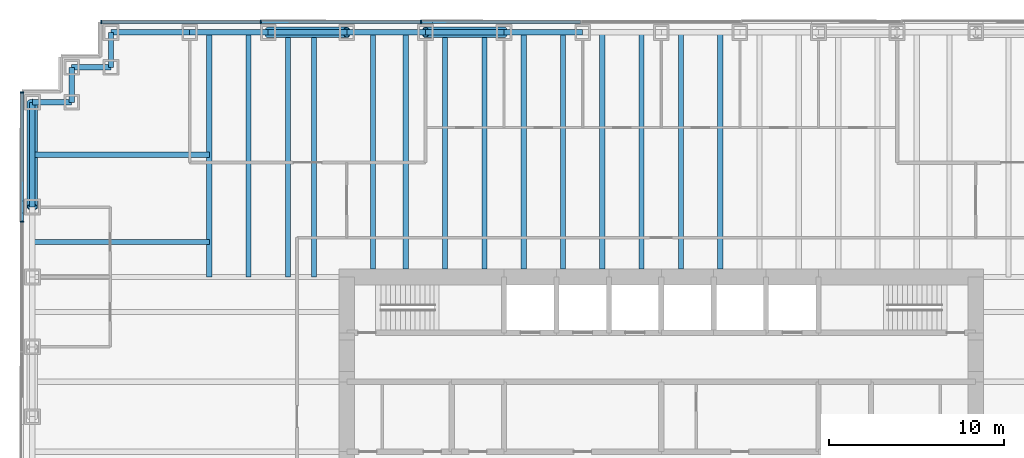
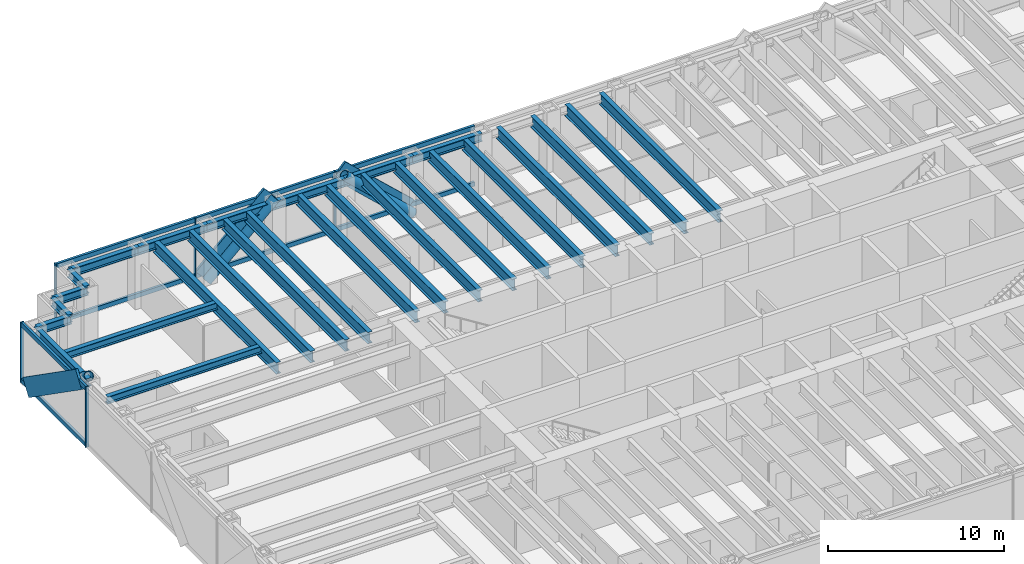
# One storey, part 6 of 15: 27 beams, 19 members, 2 elements without a shape of their own.
"""IFC4 building model written with IfcOpenShell, lengths in metres."""

from ifc_helpers import new_model, si_unit, direction, frame, origin, origin_2d, place, context, subcontext, project, spatial, rectangle, hollow_circle, i_section, extrude, material, material_profile, profile_set, type_object, element, aggregate, save


model = new_model("IFC4")

# Units and contexts
model_context = context("Model", 3, precision=1e-05, world=origin(), true_north=direction((0.0, 1.0)))
body_context = subcontext(model_context, "Body", "Model", "MODEL_VIEW")
ifc_project = project(units=[si_unit("LENGTHUNIT", "METRE"), si_unit("AREAUNIT", "SQUARE_METRE"), si_unit("VOLUMEUNIT", "CUBIC_METRE"), si_unit("PLANEANGLEUNIT", "RADIAN"), si_unit("MASSUNIT", "GRAM", prefix="KILO")], contexts=[model_context])

# Site, building, storey
site_placement = place(None, origin())
site = spatial("IfcSite", under=ifc_project, at=site_placement, CompositionType="ELEMENT")
building_placement = place(site_placement, origin())
building = spatial("IfcBuilding", under=site, at=building_placement, Name="Rheinbord Bourse Tower", CompositionType="ELEMENT")
storey_placement = place(building_placement, frame((0.0, 0.0, 104.699951171875)))
storey = spatial("IfcBuildingStorey", under=building, at=storey_placement, Name="L22", CompositionType="ELEMENT", Elevation=104.699951171875)

# Curtain wall, members
ifc_material_1 = material(Name="Dark glass and black aluminium", Category="aluminium")
curtain_wall_type = type_object("IfcCurtainWallType", Name="CW2 DARK GLASS CURTAIN WALL", PredefinedType="USERDEFINED", material=ifc_material_1)
curtain_wall_1_placement = place(storey_placement, origin())
curtain_wall_1 = element("IfcCurtainWall", 1, at=curtain_wall_1_placement, inside=storey, type_object=curtain_wall_type, Name="Curtain wall CW2 N L22", ObjectType="UNITISED CURTAIN WALL", PredefinedType="USERDEFINED")
ifc_material_2 = material(Name="Black anodised aluminium", Category="aluminium")
ifc_material_profile_1 = material_profile(ifc_material_2, rectangle(XDim=0.159912109375, YDim=1.2099609375, at=origin_2d()), Name="CW2 DIAGONAL MULLION 1210x160")
ifc_profile_set_1 = profile_set([ifc_material_profile_1], Name="Black anodised aluminium")
member_type_1 = type_object("IfcMemberType", Name="CW2 BLACK DIAGONAL MULLION", PredefinedType="USERDEFINED", material=ifc_profile_set_1)
member_1_placement = place(storey_placement, frame((27.0, 46.60009765625, 0.0), z_axis=(-0.73105922506, 0.0, 0.682314010889), x_axis=(0.0, -1.0, 0.0)))
member_1 = element("IfcMember", 2, at=member_1_placement, type_object=member_type_1, Name="CW2 diagonal mullion a", ObjectType="DIAGONAL MULLION", PredefinedType="USERDEFINED", context=body_context, shape_type="SweptSolid", body=[
    extrude(rectangle(XDim=0.159912109375, YDim=1.2099609375, at=origin_2d()), origin(), (0.0, 0.0, 1.0), 6.155517578125),
])
member_2_placement = place(storey_placement, frame((13.5, 46.60009765625, 0.0), z_axis=(0.73105922506, 0.0, 0.682314010889), x_axis=(0.0, 1.0, 0.0)))
member_2 = element("IfcMember", 3, at=member_2_placement, type_object=member_type_1, Name="CW2 diagonal mullion c", ObjectType="DIAGONAL MULLION", PredefinedType="USERDEFINED", context=body_context, shape_type="SweptSolid", body=[
    extrude(rectangle(XDim=0.159912109375, YDim=1.2099609375, at=origin_2d()), origin(), (0.0, 0.0, 1.0), 6.155517578125),
])

# Curtain wall, member
curtain_wall_2_placement = place(storey_placement, origin())
curtain_wall_2 = element("IfcCurtainWall", 4, at=curtain_wall_2_placement, inside=storey, type_object=curtain_wall_type, Name="Curtain wall CW2 W L22", ObjectType="UNITISED CURTAIN WALL", PredefinedType="USERDEFINED")
member_3_placement = place(storey_placement, frame((-0.60009765625, 42.0, 0.0), z_axis=(0.0, -0.819235052632, 0.57345786989), x_axis=(1.0, 0.0, 0.0)))
member_3 = element("IfcMember", 5, at=member_3_placement, type_object=member_type_1, Name="CW2 diagonal mullion c", ObjectType="DIAGONAL MULLION", PredefinedType="USERDEFINED", context=body_context, shape_type="SweptSolid", body=[
    extrude(rectangle(XDim=0.159912109375, YDim=1.2099609375, at=origin_2d()), origin(), (0.0, 0.0, 1.0), 7.323974609375),
])

# Member
ifc_material_3 = material(Name="Black anodised aluminium", Category="aluminium")
ifc_material_profile_2 = material_profile(ifc_material_3, rectangle(XDim=0.219970703125, YDim=0.070068359375, at=origin_2d()), Name="CW2 MULLION 70x220")
ifc_profile_set_2 = profile_set([ifc_material_profile_2], Name="Black anodised aluminium")
member_type_2 = type_object("IfcMemberType", Name="CW2 BLACK MULLION", PredefinedType="MULLION", material=ifc_profile_set_2)
member_4_placement = place(storey_placement, frame((22.242919921875, 46.60009765625, 0.0), z_axis=(0.0, 0.0, 1.0), x_axis=(0.0, -1.0, 0.0)))
member_4 = element("IfcMember", 6, at=member_4_placement, type_object=member_type_2, Name="CW2 mullion 6", PredefinedType="MULLION", context=body_context, shape_type="SweptSolid", body=[
    extrude(rectangle(XDim=0.219970703125, YDim=0.070068359375, at=origin_2d()), origin(), (0.0, 0.0, 1.0), 4.199951171875),
])

member_5_placement = place(storey_placement, frame((13.071533203125, 46.60009765625, 0.0), z_axis=(0.0, 0.0, 1.0), x_axis=(0.0, -1.0, 0.0)))
member_5 = element("IfcMember", 7, at=member_5_placement, type_object=member_type_2, Name="CW2 mullion 7", PredefinedType="MULLION", context=body_context, shape_type="SweptSolid", body=[
    extrude(rectangle(XDim=0.219970703125, YDim=0.070068359375, at=origin_2d()), origin(), (0.0, 0.0, 1.0), 4.199951171875),
])

member_6_placement = place(storey_placement, frame((3.93505859375, 46.60009765625, 0.0), z_axis=(0.0, 0.0, 1.0), x_axis=(0.0, -1.0, 0.0)))
member_6 = element("IfcMember", 8, at=member_6_placement, type_object=member_type_2, Name="CW2 mullion 8", PredefinedType="MULLION", context=body_context, shape_type="SweptSolid", body=[
    extrude(rectangle(XDim=0.219970703125, YDim=0.070068359375, at=origin_2d()), origin(), (0.0, 0.0, 1.0), 4.199951171875),
])

member_7_placement = place(storey_placement, frame((-0.60009765625, 42.56494140625, 0.0), z_axis=(0.0, 0.0, 1.0), x_axis=(1.0, 0.0, 0.0)))
member_7 = element("IfcMember", 9, at=member_7_placement, type_object=member_type_2, Name="CW2 mullion 1", PredefinedType="MULLION", context=body_context, shape_type="SweptSolid", body=[
    extrude(rectangle(XDim=0.219970703125, YDim=0.070068359375, at=origin_2d()), origin(), (0.0, 0.0, 1.0), 4.199951171875),
])

member_8_placement = place(storey_placement, frame((-0.60009765625, 35.159912109375, 0.0), z_axis=(0.0, 0.0, 1.0), x_axis=(1.0, 0.0, 0.0)))
member_8 = element("IfcMember", 10, at=member_8_placement, type_object=member_type_2, Name="CW2 mullion 2", PredefinedType="MULLION", context=body_context, shape_type="SweptSolid", body=[
    extrude(rectangle(XDim=0.219970703125, YDim=0.070068359375, at=origin_2d()), origin(), (0.0, 0.0, 1.0), 4.199951171875),
])

ifc_material_4 = material(Name="Black anodised aluminium", Category="aluminium")
ifc_material_profile_3 = material_profile(ifc_material_4, rectangle(XDim=0.159912109375, YDim=0.300048828125, at=origin_2d()), Name="CW2 TRANSOM 300x160")
ifc_profile_set_3 = profile_set([ifc_material_profile_3], Name="Black anodised aluminium")
member_type_3 = type_object("IfcMemberType", Name="CW2 BLACK TRANSOM", PredefinedType="USERDEFINED", material=ifc_profile_set_3)
member_9_placement = place(storey_placement, frame((31.37939453125, 46.60009765625, 0.150146484375), z_axis=(-1.0, 0.0, 0.0), x_axis=(0.0, -1.0, 0.0)))
member_9 = element("IfcMember", 11, at=member_9_placement, type_object=member_type_3, Name="CW2 transom 5.1", ObjectType="TRANSOM", PredefinedType="USERDEFINED", context=body_context, shape_type="SweptSolid", body=[
    extrude(rectangle(XDim=0.159912109375, YDim=0.300048828125, at=origin_2d()), origin(), (0.0, 0.0, 1.0), 9.1015625),
])

member_10_placement = place(storey_placement, frame((31.37939453125, 46.60009765625, 4.050048828125), z_axis=(-1.0, 0.0, 0.0), x_axis=(0.0, -1.0, 0.0)))
member_10 = element("IfcMember", 12, at=member_10_placement, type_object=member_type_3, Name="CW2 transom 5.2", ObjectType="TRANSOM", PredefinedType="USERDEFINED", context=body_context, shape_type="SweptSolid", body=[
    extrude(rectangle(XDim=0.159912109375, YDim=0.300048828125, at=origin_2d()), origin(), (0.0, 0.0, 1.0), 9.1015625),
])

member_11_placement = place(storey_placement, frame((22.207763671875, 46.60009765625, 0.150146484375), z_axis=(-1.0, 0.0, 0.0), x_axis=(0.0, -1.0, 0.0)))
member_11 = element("IfcMember", 13, at=member_11_placement, type_object=member_type_3, Name="CW2 transom 6.1", ObjectType="TRANSOM", PredefinedType="USERDEFINED", context=body_context, shape_type="SweptSolid", body=[
    extrude(rectangle(XDim=0.159912109375, YDim=0.300048828125, at=origin_2d()), origin(), (0.0, 0.0, 1.0), 9.101318359375),
])

member_12_placement = place(storey_placement, frame((22.207763671875, 46.60009765625, 4.050048828125), z_axis=(-1.0, 0.0, 0.0), x_axis=(0.0, -1.0, 0.0)))
member_12 = element("IfcMember", 14, at=member_12_placement, type_object=member_type_3, Name="CW2 transom 6.2", ObjectType="TRANSOM", PredefinedType="USERDEFINED", context=body_context, shape_type="SweptSolid", body=[
    extrude(rectangle(XDim=0.159912109375, YDim=0.300048828125, at=origin_2d()), origin(), (0.0, 0.0, 1.0), 9.101318359375),
])

member_13_placement = place(storey_placement, frame((13.036376953125, 46.60009765625, 0.150146484375), z_axis=(-1.0, 0.0, 0.0), x_axis=(0.0, -1.0, 0.0)))
member_13 = element("IfcMember", 15, at=member_13_placement, type_object=member_type_3, Name="CW2 transom 7.1", ObjectType="TRANSOM", PredefinedType="USERDEFINED", context=body_context, shape_type="SweptSolid", body=[
    extrude(rectangle(XDim=0.159912109375, YDim=0.300048828125, at=origin_2d()), origin(), (0.0, 0.0, 1.0), 9.06640625),
])

member_14_placement = place(storey_placement, frame((13.036376953125, 46.60009765625, 4.050048828125), z_axis=(-1.0, 0.0, 0.0), x_axis=(0.0, -1.0, 0.0)))
member_14 = element("IfcMember", 16, at=member_14_placement, type_object=member_type_3, Name="CW2 transom 7.2", ObjectType="TRANSOM", PredefinedType="USERDEFINED", context=body_context, shape_type="SweptSolid", body=[
    extrude(rectangle(XDim=0.159912109375, YDim=0.300048828125, at=origin_2d()), origin(), (0.0, 0.0, 1.0), 9.06640625),
])

aggregate(curtain_wall_1, [member_4, member_5, member_6, member_9, member_10, member_11, member_12, member_13, member_14, member_1, member_2])

member_15_placement = place(storey_placement, frame((-0.60009765625, 42.530029296875, 0.150146484375), z_axis=(0.0, -1.0, 0.0), x_axis=(1.0, 0.0, 0.0)))
member_15 = element("IfcMember", 17, at=member_15_placement, type_object=member_type_3, Name="CW2 transom 1.1", ObjectType="TRANSOM", PredefinedType="USERDEFINED", context=body_context, shape_type="SweptSolid", body=[
    extrude(rectangle(XDim=0.159912109375, YDim=0.300048828125, at=origin_2d()), origin(), (0.0, 0.0, 1.0), 7.3349609375),
])

member_16_placement = place(storey_placement, frame((-0.60009765625, 42.530029296875, 4.050048828125), z_axis=(0.0, -1.0, 0.0), x_axis=(1.0, 0.0, 0.0)))
member_16 = element("IfcMember", 18, at=member_16_placement, type_object=member_type_3, Name="CW2 transom 1.2", ObjectType="TRANSOM", PredefinedType="USERDEFINED", context=body_context, shape_type="SweptSolid", body=[
    extrude(rectangle(XDim=0.159912109375, YDim=0.300048828125, at=origin_2d()), origin(), (0.0, 0.0, 1.0), 7.3349609375),
])

aggregate(curtain_wall_2, [member_7, member_8, member_15, member_16, member_3])

# Beams
ifc_material_5 = material(Name="Steel S460", Category="steel")
ifc_material_profile_4 = material_profile(ifc_material_5, i_section(OverallWidth=0.300048828125, OverallDepth=0.800048828125, WebThickness=0.017578125, FlangeThickness=0.032958984375, at=origin_2d()), Name="HEB 800")
ifc_profile_set_4 = profile_set([ifc_material_profile_4], Name="Steel S460")
beam_type_1 = type_object("IfcBeamType", Name="FLOOR BEAM HEB 800", PredefinedType="BEAM", material=ifc_profile_set_4)
for number, where, z_axis, x_axis, name in (
    (19, (10.125, 46.0, 3.64013671875), (0.0, -1.0, 0.0), (1.0, 0.0, 0.0), "Floor beam N-9a L23"),
    (20, (12.375, 46.0, 3.64013671875), (0.0, -1.0, 0.0), (1.0, 0.0, 0.0), "Floor beam N-9b L23"),
    (21, (14.625, 46.0, 3.64013671875), (0.0, -1.0, 0.0), (1.0, 0.0, 0.0), "Floor beam N-13.5a L23"),
    (22, (16.125, 46.0, 3.64013671875), (0.0, -1.0, 0.0), (1.0, 0.0, 0.0), "Floor beam N-13.5b L23"),
):
    element("IfcBeam", number, at=place(storey_placement, frame(where, z_axis=z_axis, x_axis=x_axis)), inside=storey, type_object=beam_type_1, Name=name, PredefinedType="BEAM", context=body_context, shape_type="SweptSolid", body=[
        extrude(i_section(OverallWidth=0.300048828125, OverallDepth=0.800048828125, WebThickness=0.017578125, FlangeThickness=0.032958984375, at=origin_2d()), origin(), (0.0, 0.0, 1.0), 14.0),
    ])
for number, where, z_axis, x_axis, name in (
    (23, (19.5, 46.0, 3.64013671875), (0.0, -1.0, 0.0), (1.0, 0.0, 0.0), "Floor beam N-18a L23"),
    (24, (21.375, 46.0, 3.64013671875), (0.0, -1.0, 0.0), (1.0, 0.0, 0.0), "Floor beam N-18b L23"),
    (25, (23.625, 46.0, 3.64013671875), (0.0, -1.0, 0.0), (1.0, 0.0, 0.0), "Floor beam N-22.5a L23"),
    (26, (25.875, 46.0, 3.64013671875), (0.0, -1.0, 0.0), (1.0, 0.0, 0.0), "Floor beam N-22.5b L23"),
    (27, (28.125, 46.0, 3.64013671875), (0.0, -1.0, 0.0), (1.0, 0.0, 0.0), "Floor beam N-27a L23"),
    (28, (30.375, 46.0, 3.64013671875), (0.0, -1.0, 0.0), (1.0, 0.0, 0.0), "Floor beam N-27b L23"),
    (29, (32.625, 46.0, 3.64013671875), (0.0, -1.0, 0.0), (1.0, 0.0, 0.0), "Floor beam N-31.5a L23"),
    (30, (34.875, 46.0, 3.64013671875), (0.0, -1.0, 0.0), (1.0, 0.0, 0.0), "Floor beam N-31.5b L23"),
    (31, (37.125, 46.0, 3.64013671875), (0.0, -1.0, 0.0), (1.0, 0.0, 0.0), "Floor beam N-36a L23"),
    (32, (39.375, 46.0, 3.64013671875), (0.0, -1.0, 0.0), (1.0, 0.0, 0.0), "Floor beam N-36b L23"),
):
    element("IfcBeam", number, at=place(storey_placement, frame(where, z_axis=z_axis, x_axis=x_axis)), inside=storey, type_object=beam_type_1, Name=name, PredefinedType="BEAM", context=body_context, shape_type="SweptSolid", body=[
        extrude(i_section(OverallWidth=0.300048828125, OverallDepth=0.800048828125, WebThickness=0.017578125, FlangeThickness=0.032958984375, at=origin_2d()), origin(), (0.0, 0.0, 1.0), 13.550048828125),
    ])

# Members
ifc_material_6 = material(Name="Steel S460", Category="steel")
ifc_material_profile_5 = material_profile(ifc_material_6, hollow_circle(Radius=0.304931640625, WallThickness=0.0400390625, at=origin_2d()), Name="CHS 610x40")
ifc_profile_set_5 = profile_set([ifc_material_profile_5], Name="Steel S460")
member_type_4 = type_object("IfcMemberType", Name="MEGABRACE CHS 610x40", PredefinedType="BRACE", material=ifc_profile_set_5)
for number, where, z_axis, x_axis, name in (
    (33, (27.0, 46.0, 0.0), (-0.73105922506, 0.0, 0.682314010889), (0.0, -1.0, 0.0), "Megabrace N face line a L22"),
    (34, (13.5, 46.0, 0.0), (0.73105922506, 0.0, 0.682314010889), (0.0, 1.0, 0.0), "Megabrace N face line c L22"),
):
    element("IfcMember", number, at=place(storey_placement, frame(where, z_axis=z_axis, x_axis=x_axis)), inside=storey, type_object=member_type_4, Name=name, PredefinedType="BRACE", context=body_context, shape_type="SweptSolid", body=[
        extrude(hollow_circle(Radius=0.304931640625, WallThickness=0.0400390625, at=origin_2d()), origin(), (0.0, 0.0, 1.0), 6.155517578125),
    ])
member_17_placement = place(storey_placement, frame((0.0, 42.0, 0.0), z_axis=(0.0, -0.819235052632, 0.57345786989), x_axis=(1.0, 0.0, 0.0)))
element("IfcMember", 35, at=member_17_placement, inside=storey, type_object=member_type_4, Name="Megabrace W face line c L22", PredefinedType="BRACE", context=body_context, shape_type="SweptSolid", body=[
    extrude(hollow_circle(Radius=0.304931640625, WallThickness=0.0400390625, at=origin_2d()), origin(), (0.0, 0.0, 1.0), 7.323974609375),
])

# Beams
ifc_material_7 = material(Name="Steel S460", Category="steel")
ifc_material_profile_6 = material_profile(ifc_material_7, i_section(OverallWidth=0.305908203125, OverallDepth=0.572021484375, WebThickness=0.02099609375, FlangeThickness=0.0400390625, at=origin_2d()), Name="HEM 550")
ifc_profile_set_6 = profile_set([ifc_material_profile_6], Name="Steel S460")
beam_type_2 = type_object("IfcBeamType", Name="SPANDREL HEM 550", PredefinedType="SPANDREL", material=ifc_profile_set_6)
for number, where, z_axis, x_axis, name in (
    (36, (31.5, 46.0, 3.754150390625), (-1.0, 0.0, 0.0), (0.0, -1.0, 0.0), "Spandrel N-31.5-N-27 under L23"),
    (37, (27.0, 46.0, 3.754150390625), (-1.0, 0.0, 0.0), (0.0, -1.0, 0.0), "Spandrel N-27-N-22.5 under L23"),
    (38, (22.5, 46.0, 3.754150390625), (-1.0, 0.0, 0.0), (0.0, -1.0, 0.0), "Spandrel N-22.5-N-18 under L23"),
    (39, (18.0, 46.0, 3.754150390625), (-1.0, 0.0, 0.0), (0.0, -1.0, 0.0), "Spandrel N-18-N-13.5 under L23"),
    (40, (13.5, 46.0, 3.754150390625), (-1.0, 0.0, 0.0), (0.0, -1.0, 0.0), "Spandrel N-13.5-N-9 under L23"),
    (41, (9.0, 46.0, 3.754150390625), (-1.0, 0.0, 0.0), (0.0, -1.0, 0.0), "Spandrel N-9-NW-E under L23"),
):
    element("IfcBeam", number, at=place(storey_placement, frame(where, z_axis=z_axis, x_axis=x_axis)), inside=storey, type_object=beam_type_2, Name=name, PredefinedType="SPANDREL", context=body_context, shape_type="SweptSolid", body=[
        extrude(i_section(OverallWidth=0.305908203125, OverallDepth=0.572021484375, WebThickness=0.02099609375, FlangeThickness=0.0400390625, at=origin_2d()), origin(), (0.0, 0.0, 1.0), 4.5),
    ])
beam_1_placement = place(storey_placement, frame((4.5, 46.0, 3.754150390625), z_axis=(0.0, -1.0, 0.0), x_axis=(1.0, 0.0, 0.0)))
element("IfcBeam", 42, at=beam_1_placement, inside=storey, type_object=beam_type_2, Name="Spandrel NW-E-NW-D under L23", PredefinedType="SPANDREL", context=body_context, shape_type="SweptSolid", body=[
    extrude(i_section(OverallWidth=0.305908203125, OverallDepth=0.572021484375, WebThickness=0.02099609375, FlangeThickness=0.0400390625, at=origin_2d()), origin(), (0.0, 0.0, 1.0), 2.0),
])
beam_2_placement = place(storey_placement, frame((4.5, 44.0, 3.754150390625), z_axis=(-1.0, 0.0, 0.0), x_axis=(0.0, -1.0, 0.0)))
element("IfcBeam", 43, at=beam_2_placement, inside=storey, type_object=beam_type_2, Name="Spandrel NW-D-NW-C under L23", PredefinedType="SPANDREL", context=body_context, shape_type="SweptSolid", body=[
    extrude(i_section(OverallWidth=0.305908203125, OverallDepth=0.572021484375, WebThickness=0.02099609375, FlangeThickness=0.0400390625, at=origin_2d()), origin(), (0.0, 0.0, 1.0), 2.25),
])
beam_3_placement = place(storey_placement, frame((2.25, 44.0, 3.754150390625), z_axis=(0.0, -1.0, 0.0), x_axis=(1.0, 0.0, 0.0)))
element("IfcBeam", 44, at=beam_3_placement, inside=storey, type_object=beam_type_2, Name="Spandrel NW-C-NW-B under L23", PredefinedType="SPANDREL", context=body_context, shape_type="SweptSolid", body=[
    extrude(i_section(OverallWidth=0.305908203125, OverallDepth=0.572021484375, WebThickness=0.02099609375, FlangeThickness=0.0400390625, at=origin_2d()), origin(), (0.0, 0.0, 1.0), 2.0),
])
beam_4_placement = place(storey_placement, frame((2.25, 42.0, 3.754150390625), z_axis=(-1.0, 0.0, 0.0), x_axis=(0.0, -1.0, 0.0)))
element("IfcBeam", 45, at=beam_4_placement, inside=storey, type_object=beam_type_2, Name="Spandrel NW-B-NW-A under L23", PredefinedType="SPANDREL", context=body_context, shape_type="SweptSolid", body=[
    extrude(i_section(OverallWidth=0.305908203125, OverallDepth=0.572021484375, WebThickness=0.02099609375, FlangeThickness=0.0400390625, at=origin_2d()), origin(), (0.0, 0.0, 1.0), 2.25),
])
beam_5_placement = place(storey_placement, frame((0.0, 42.0, 3.754150390625), z_axis=(0.0, -1.0, 0.0), x_axis=(1.0, 0.0, 0.0)))
element("IfcBeam", 46, at=beam_5_placement, inside=storey, type_object=beam_type_2, Name="Spandrel NW-A-W-36 under L23", PredefinedType="SPANDREL", context=body_context, shape_type="SweptSolid", body=[
    extrude(i_section(OverallWidth=0.305908203125, OverallDepth=0.572021484375, WebThickness=0.02099609375, FlangeThickness=0.0400390625, at=origin_2d()), origin(), (0.0, 0.0, 1.0), 6.0),
])
ifc_material_8 = material(Name="Steel S460", Category="steel")
ifc_material_profile_7 = material_profile(ifc_material_8, i_section(OverallWidth=0.300048828125, OverallDepth=0.5, WebThickness=0.014404296875, FlangeThickness=0.028076171875, at=origin_2d()), Name="HEB 500")
ifc_profile_set_7 = profile_set([ifc_material_profile_7], Name="Steel S460")
beam_type_3 = type_object("IfcBeamType", Name="TIE BEAM HEB 500", PredefinedType="JOIST", material=ifc_profile_set_7)
for number, where, z_axis, x_axis, name in (
    (47, (0.0, 34.0, 3.7900390625), (1.0, 0.0, 0.0), (0.0, 1.0, 0.0), "Tie west 34 L23"),
    (48, (0.0, 39.0, 3.7900390625), (1.0, 0.0, 0.0), (0.0, 1.0, 0.0), "Tie west 39 L23"),
):
    element("IfcBeam", number, at=place(storey_placement, frame(where, z_axis=z_axis, x_axis=x_axis)), inside=storey, type_object=beam_type_3, Name=name, PredefinedType="JOIST", context=body_context, shape_type="SweptSolid", body=[
        extrude(i_section(OverallWidth=0.300048828125, OverallDepth=0.5, WebThickness=0.014404296875, FlangeThickness=0.028076171875, at=origin_2d()), origin(), (0.0, 0.0, 1.0), 10.125),
    ])

save(model, "model.ifc")
